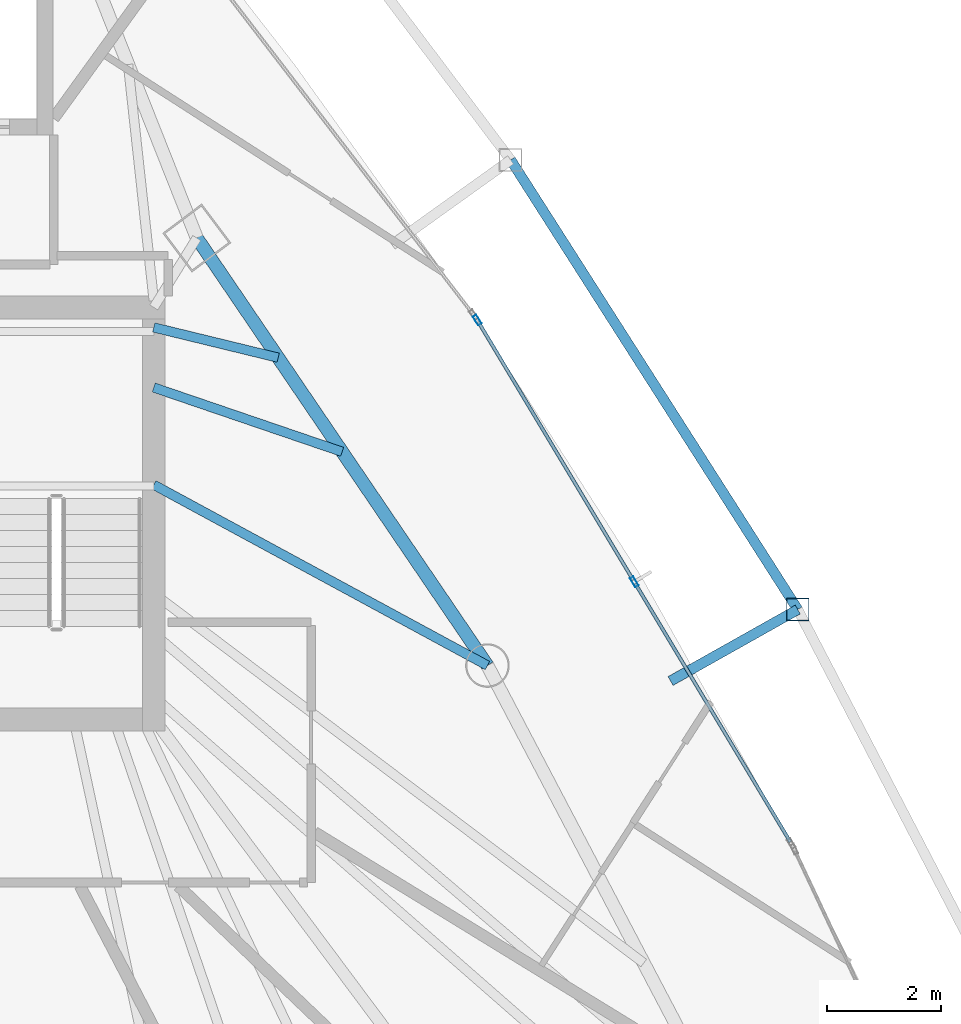
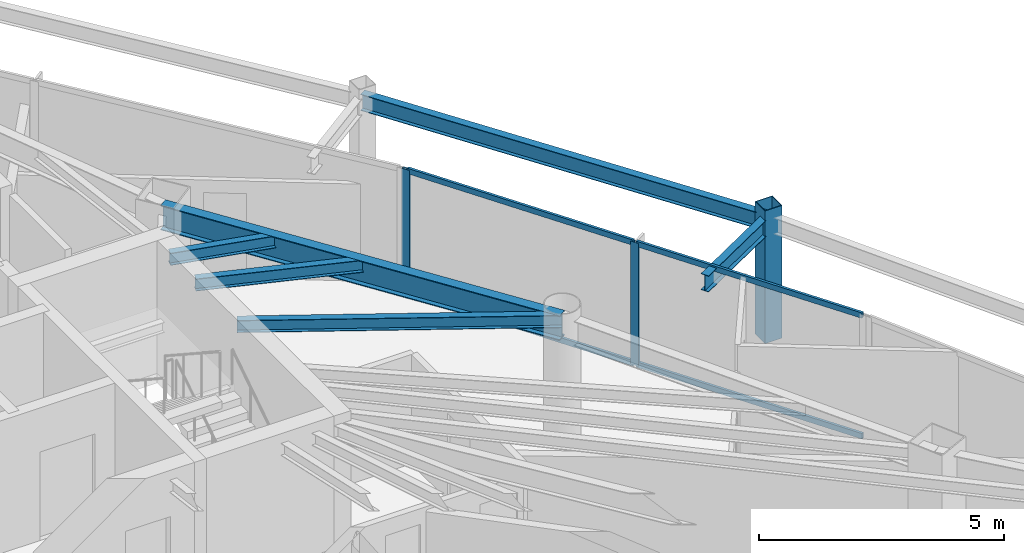
# One storey, part 18 of 29: 7 members, 6 beams, 1 element without a shape of its own.
"""IFC4 building model written with IfcOpenShell, lengths in metres."""

import ifcopenshell
import ifcopenshell.guid

model = None  # the IFC model being written
_history = None  # IfcOwnerHistory: only IFC2X3 demands one
_inside = {}  # id of a spatial element -> (the spatial element, [elements in it])
_under = {}  # id of a project, library or spatial element -> (it, [spatial elements below it])
_declared = {}  # id of a project -> (the project, [libraries it declares])
_typed = {}  # id of a type object -> (the type object, [elements of that type])
_made_of = {}  # id of a material, layer set ... -> (it, [elements and type objects made of it])


def new_model(schema):
    """Start an empty IFC model of exactly this schema.

    Asked for "IFC4X3", IfcOpenShell would pick the latest addendum, in which some entities
    have other attributes; the version numbers below select the first issue.
    IFC2X3 requires an IfcOwnerHistory on every rooted entity: one is made here for all.
    """
    global model, _history
    if schema == "IFC4X3":
        model = ifcopenshell.file(schema_version=(4, 3, 0, 0))
    else:
        model = ifcopenshell.file(schema=schema)
    _inside.clear()
    _under.clear()
    _declared.clear()
    _typed.clear()
    _made_of.clear()
    _history = None
    if model.schema == "IFC2X3":
        org = make("IfcOrganization", Name="unknown")
        user = make(
            "IfcPersonAndOrganization",
            ThePerson=make("IfcPerson", FamilyName="unknown"),
            TheOrganization=org,
        )
        app = make(
            "IfcApplication",
            ApplicationDeveloper=org,
            Version="unknown",
            ApplicationFullName="unknown",
            ApplicationIdentifier="unknown",
        )
        _history = make(
            "IfcOwnerHistory",
            OwningUser=user,
            OwningApplication=app,
            ChangeAction="ADDED",
            CreationDate=0,
        )
    return model


def make(cls, **values):
    """One entity of the class cls with the attributes given. An attribute that is None is left unset."""
    return model.create_entity(
        cls, **{name: value for name, value in values.items() if value is not None}
    )


def rooted(cls, **values):
    """An entity with a GlobalId (a new one), such as an element, a storey or a relation."""
    return make(cls, GlobalId=ifcopenshell.guid.new(), OwnerHistory=_history, **values)


def si_unit(unit_type, name, prefix=None):
    """IfcSIUnit, for example si_unit("LENGTHUNIT", "METRE", prefix="MILLI")."""
    return make("IfcSIUnit", UnitType=unit_type, Prefix=prefix, Name=name)


def assignment(units):
    """IfcUnitAssignment: the units of a project."""
    return None if units is None else make("IfcUnitAssignment", Units=units)


def point(xyz):
    """IfcCartesianPoint."""
    return None if xyz is None else make("IfcCartesianPoint", Coordinates=xyz)


def direction(xyz):
    """IfcDirection."""
    return None if xyz is None else make("IfcDirection", DirectionRatios=xyz)


def frame(location, z_axis=None, x_axis=None):
    """IfcAxis2Placement3D, a coordinate frame: its origin and axes. An axis left out is left unset."""
    return make(
        "IfcAxis2Placement3D",
        Location=point(location),
        Axis=direction(z_axis),
        RefDirection=direction(x_axis),
    )


def frame_2d(location, x_axis=None):
    """IfcAxis2Placement2D, a coordinate frame in the plane: its origin and x axis."""
    return make(
        "IfcAxis2Placement2D", Location=point(location), RefDirection=direction(x_axis)
    )


def origin():
    """The frame at (0, 0, 0) with its axes left unset."""
    return frame((0.0, 0.0, 0.0))


def origin_2d():
    """The frame at (0, 0) in the plane with its x axis left unset."""
    return frame_2d((0.0, 0.0))


def place(relative_to, where):
    """IfcLocalPlacement: puts the frame where relative to a parent placement (None: the world)."""
    return make(
        "IfcLocalPlacement", PlacementRelTo=relative_to, RelativePlacement=where
    )


def context(
    kind, dimensions, precision=None, world=None, true_north=None, identifier=None
):
    """IfcGeometricRepresentationContext, for example the 3D "Model" context."""
    return make(
        "IfcGeometricRepresentationContext",
        ContextIdentifier=identifier,
        ContextType=kind,
        CoordinateSpaceDimension=dimensions,
        Precision=precision,
        WorldCoordinateSystem=world,
        TrueNorth=true_north,
    )


def subcontext(parent, identifier, kind, view, scale=None):
    """IfcGeometricRepresentationSubContext, for example "Body" below "Model"."""
    return make(
        "IfcGeometricRepresentationSubContext",
        ContextIdentifier=identifier,
        ContextType=kind,
        ParentContext=parent,
        TargetScale=scale,
        TargetView=view,
    )


def project(units=None, contexts=None):
    """IfcProject with its units and contexts."""
    return rooted(
        "IfcProject",
        Name="project",
        RepresentationContexts=contexts,
        UnitsInContext=assignment(units),
    )


def spatial(cls, under=None, at=None, **own):
    """A site, building, storey or space (cls), placed at a placement, below another one or the project."""
    s = rooted(cls, ObjectPlacement=at, **own)
    if under is not None:
        _under.setdefault(under.id(), (under, []))[1].append(s)
    return s


def profile(cls, at=None, kind="AREA", **sizes):
    """A parametric profile (cls). Its sizes go by their IFC names, for example OverallWidth=200.0."""
    return make(cls, ProfileType=kind, Position=at, **sizes)


def hollow_rectangle(**sizes):
    """IfcRectangleHollowProfileDef."""
    return profile("IfcRectangleHollowProfileDef", **sizes)


def i_section(**sizes):
    """IfcIShapeProfileDef."""
    return profile("IfcIShapeProfileDef", **sizes)


def extrude(swept, where, along, depth):
    """IfcExtrudedAreaSolid: the profile swept, set in the frame where, extruded along a direction by depth."""
    return make(
        "IfcExtrudedAreaSolid",
        SweptArea=swept,
        Position=where,
        ExtrudedDirection=direction(along),
        Depth=depth,
    )


def shape(context_of_items, identifier, shape_type, items):
    """IfcShapeRepresentation: the items that make up one representation, for example the "Body"."""
    return make(
        "IfcShapeRepresentation",
        ContextOfItems=context_of_items,
        RepresentationIdentifier=identifier,
        RepresentationType=shape_type,
        Items=items,
    )


def material(Name=None, Category=None):
    """IfcMaterial."""
    return make("IfcMaterial", Name=Name, Category=Category)


def layer(
    of_material, thickness, ventilated=None, Name=None, Category=None, Priority=None
):
    """IfcMaterialLayer: one layer of a wall or slab, of a material (None: an air gap)."""
    return make(
        "IfcMaterialLayer",
        Material=of_material,
        LayerThickness=thickness,
        IsVentilated=ventilated,
        Name=Name,
        Category=Category,
        Priority=Priority,
    )


def layer_set(layers, Name=None):
    """IfcMaterialLayerSet."""
    return make("IfcMaterialLayerSet", MaterialLayers=layers, LayerSetName=Name)


def material_profile(
    of_material, cross_section, Name=None, Category=None, Priority=None
):
    """IfcMaterialProfile: a cross section and its material."""
    return make(
        "IfcMaterialProfile",
        Name=Name,
        Material=of_material,
        Profile=cross_section,
        Priority=Priority,
        Category=Category,
    )


def profile_set(profiles, Name=None, composite=None):
    """IfcMaterialProfileSet."""
    return make(
        "IfcMaterialProfileSet",
        Name=Name,
        MaterialProfiles=profiles,
        CompositeProfile=composite,
    )


def made_of(thing, what):
    """Note that an element or type object is made of a material, layer set ...; save() writes the relation."""
    if what is not None:
        _made_of.setdefault(what.id(), (what, []))[1].append(thing)
    return thing


def type_object(cls, material=None, **own):
    """A type object (cls), such as IfcWallType, which elements share."""
    return made_of(rooted(cls, **own), material)


def element(
    cls,
    number,
    at=None,
    inside=None,
    cuts=None,
    type_object=None,
    material=None,
    context=None,
    identifier="Body",
    shape_type=None,
    held_by="IfcProductDefinitionShape",
    body=None,
    shapes=None,
    **own,
):
    """One element of the class cls, such as IfcWall. Its Tag is "e" and its number.

    at: its placement. inside: the storey or other place that contains it. cuts: it is an
    opening in that element (IfcRelVoidsElement). A single representation is given by context,
    identifier, shape_type and body (its items); several are given by shapes. held_by: the class
    of the entity that holds the representations. save() writes the other relations.
    """
    e = rooted(cls, Tag="e%d" % number, ObjectPlacement=at, **own)
    if body is not None:
        shapes = [shape(context, identifier, shape_type, body)]
    if shapes is not None:
        e.Representation = make(held_by, Representations=shapes)
    if inside is not None:
        _inside.setdefault(inside.id(), (inside, []))[1].append(e)
    if cuts is not None:
        rooted(
            "IfcRelVoidsElement", RelatingBuildingElement=cuts, RelatedOpeningElement=e
        )
    if type_object is not None:
        _typed.setdefault(type_object.id(), (type_object, []))[1].append(e)
    return made_of(e, material)


def aggregate(whole, parts):
    """IfcRelAggregates: a whole, such as a stair, and the parts it consists of."""
    return rooted("IfcRelAggregates", RelatingObject=whole, RelatedObjects=parts)


def save(model, path):
    """Write the relations noted so far, then the file.

    IfcRelAggregates (storeys below a building ...), IfcRelContainedInSpatialStructure (elements
    in a storey), IfcRelDefinesByType, IfcRelAssociatesMaterial and IfcRelDeclares: one each for
    every whole, place, type object, material and project.
    """
    for whole, parts in _under.values():
        aggregate(whole, parts)
    for where, things in _inside.values():
        rooted(
            "IfcRelContainedInSpatialStructure",
            RelatedElements=things,
            RelatingStructure=where,
        )
    for kind, things in _typed.values():
        rooted("IfcRelDefinesByType", RelatedObjects=things, RelatingType=kind)
    for what, things in _made_of.values():
        rooted("IfcRelAssociatesMaterial", RelatedObjects=things, RelatingMaterial=what)
    for by, libraries in _declared.values():
        rooted("IfcRelDeclares", RelatingContext=by, RelatedDefinitions=libraries)
    model.write(path)


model = new_model("IFC4")

# Units and contexts
model_context = context("Model", 3, precision=1e-05, world=origin(), true_north=direction((0.0, 1.0)))
body_context = subcontext(model_context, "Body", "Model", "MODEL_VIEW")
ifc_project = project(units=[si_unit("LENGTHUNIT", "METRE"), si_unit("AREAUNIT", "SQUARE_METRE"), si_unit("VOLUMEUNIT", "CUBIC_METRE"), si_unit("PLANEANGLEUNIT", "RADIAN"), si_unit("MASSUNIT", "GRAM", prefix="KILO")], contexts=[model_context])

# Site, building, storey
site_placement = place(None, origin())
site = spatial("IfcSite", under=ifc_project, at=site_placement, CompositionType="ELEMENT")
building_placement = place(site_placement, origin())
building = spatial("IfcBuilding", under=site, at=building_placement, Name="Orvanel Arch Residences", CompositionType="ELEMENT")
storey_placement = place(building_placement, frame((0.0, 0.0, 170.449951171875)))
storey = spatial("IfcBuildingStorey", under=building, at=storey_placement, Name="L48", CompositionType="ELEMENT", Elevation=170.449951171875)

# Beams
ifc_material_1 = material(Name="Structural steel AS/NZS 3679.1 Grade 300 (300 MPa)", Category="steel")
ifc_material_profile_1 = material_profile(ifc_material_1, i_section(OverallWidth=0.1650390625, OverallDepth=0.303955078125, WebThickness=0.006103515625, FlangeThickness=0.01025390625, at=origin_2d()), Name="310UB40.4")
ifc_profile_set_1 = profile_set([ifc_material_profile_1], Name="Structural steel AS/NZS 3679.1 Grade 300 (300 MPa)")
beam_type_1 = type_object("IfcBeamType", Name="BJ-310UB", PredefinedType="JOIST", material=ifc_profile_set_1)
beam_1_placement = place(storey_placement, frame((39.60009765625, 30.800048828125, 2.907958984375), z_axis=(0.87925534649, -0.476350748576, 0.0), x_axis=(0.476350748576, 0.87925534649, 0.0)))
element("IfcBeam", 1, at=beam_1_placement, inside=storey, type_object=beam_type_1, Name="L48 NE Wing Floor Joist", PredefinedType="JOIST", context=body_context, shape_type="SweptSolid", body=[
    extrude(i_section(OverallWidth=0.1650390625, OverallDepth=0.303955078125, WebThickness=0.006103515625, FlangeThickness=0.01025390625, at=origin_2d()), origin(), (0.0, 0.0, 1.0), 6.631591796875),
])
beam_2_placement = place(storey_placement, frame((39.60009765625, 32.5, 2.907958984375), z_axis=(0.9464126781, -0.322959815969, 0.0), x_axis=(0.322959815969, 0.9464126781, 0.0)))
element("IfcBeam", 2, at=beam_2_placement, inside=storey, type_object=beam_type_1, Name="L48 ENE Wing Floor Joist", PredefinedType="JOIST", context=body_context, shape_type="SweptSolid", body=[
    extrude(i_section(OverallWidth=0.1650390625, OverallDepth=0.303955078125, WebThickness=0.006103515625, FlangeThickness=0.01025390625, at=origin_2d()), origin(), (0.0, 0.0, 1.0), 3.477294921875),
])
beam_3_placement = place(storey_placement, frame((39.60009765625, 33.550048828125, 2.907958984375), z_axis=(0.971638471014, -0.236471312521, 0.0), x_axis=(0.236471312521, 0.971638471014, 0.0)))
element("IfcBeam", 3, at=beam_3_placement, inside=storey, type_object=beam_type_1, Name="L48 JADD4 Wing Floor Joist", PredefinedType="JOIST", context=body_context, shape_type="SweptSolid", body=[
    extrude(i_section(OverallWidth=0.1650390625, OverallDepth=0.303955078125, WebThickness=0.006103515625, FlangeThickness=0.01025390625, at=origin_2d()), origin(), (0.0, 0.0, 1.0), 2.2373046875),
])

# Curtain wall, members
ifc_material_2 = material(Name="Bronze-anodised aluminium AA6063-T6", Category="aluminium")
ifc_layer = layer(ifc_material_2, 0.179931640625)
ifc_layer_set = layer_set([ifc_layer], Name="Bronze-anodised aluminium AA6063-T6")
curtain_wall_type = type_object("IfcCurtainWallType", Name="CW3-MID-SYS", PredefinedType="NOTDEFINED", material=ifc_layer_set)
curtain_wall_placement = place(storey_placement, origin())
curtain_wall = element("IfcCurtainWall", 4, at=curtain_wall_placement, inside=storey, type_object=curtain_wall_type, Name="L48 CW3-MID-SYS Unitised Curtain Wall", PredefinedType="NOTDEFINED")
ifc_material_profile_2 = material_profile(ifc_material_2, hollow_rectangle(XDim=0.070068359375, YDim=0.179931640625, WallThickness=0.00439453125, at=origin_2d()), Name="ALU180x70x4.5")
ifc_profile_set_2 = profile_set([ifc_material_profile_2], Name="Bronze-anodised aluminium AA6063-T6")
member_type_1 = type_object("IfcMemberType", Name="MUL-180x70", PredefinedType="MULLION", material=ifc_profile_set_2)
member_1_placement = place(storey_placement, frame((47.9970703125, 29.10400390625, 0.0), z_axis=(0.0, 0.0, 1.0), x_axis=(-0.857542204558, -0.514413615102, 0.0)))
member_1 = element("IfcMember", 5, at=member_1_placement, type_object=member_type_1, Name="CW-S3 mullion 2", PredefinedType="MULLION", context=body_context, shape_type="SweptSolid", body=[
    extrude(hollow_rectangle(XDim=0.070068359375, YDim=0.179931640625, WallThickness=0.00439453125, at=origin_2d()), origin(), (0.0, 0.0, 1.0), 3.06005859375),
])
member_2_placement = place(storey_placement, frame((45.251953125, 33.679931640625, 0.0), z_axis=(0.0, 0.0, 1.0), x_axis=(-0.857542204558, -0.514413615102, 0.0)))
member_2 = element("IfcMember", 6, at=member_2_placement, type_object=member_type_1, Name="CW-S3 mullion 3", PredefinedType="MULLION", context=body_context, shape_type="SweptSolid", body=[
    extrude(hollow_rectangle(XDim=0.070068359375, YDim=0.179931640625, WallThickness=0.00439453125, at=origin_2d()), origin(), (0.0, 0.0, 1.0), 3.06005859375),
])

# Beams
ifc_material_profile_3 = material_profile(ifc_material_1, i_section(OverallWidth=0.177978515625, OverallDepth=0.406005859375, WebThickness=0.0078125, FlangeThickness=0.0126953125, at=origin_2d()), Name="410UB59.7")
ifc_profile_set_3 = profile_set([ifc_material_profile_3], Name="Structural steel AS/NZS 3679.1 Grade 300 (300 MPa)")
beam_type_2 = type_object("IfcBeamType", Name="OB-410UB-EXT", PredefinedType="SPANDREL", material=ifc_profile_set_3)
beam_4_placement = place(storey_placement, frame((48.631103515625, 27.37109375, 2.85693359375), z_axis=(0.871803026856, 0.489856593673, 0.0), x_axis=(-0.489856593673, 0.871803026856, 0.0)))
element("IfcBeam", 7, at=beam_4_placement, inside=storey, type_object=beam_type_2, Name="L48 Outer Frame Radial Tie Beam 10", PredefinedType="SPANDREL", context=body_context, shape_type="SweptSolid", body=[
    extrude(i_section(OverallWidth=0.177978515625, OverallDepth=0.406005859375, WebThickness=0.0078125, FlangeThickness=0.0126953125, at=origin_2d()), origin(), (0.0, 0.0, 1.0), 2.5498046875),
])
beam_5_placement = place(storey_placement, frame((50.85400390625, 28.6201171875, 2.85693359375), z_axis=(-0.538142335927, 0.842853976845, 0.0), x_axis=(-0.842853976845, -0.538142335927, 0.0)))
element("IfcBeam", 8, at=beam_5_placement, inside=storey, type_object=beam_type_2, Name="L48 Outer Perimeter Floor Ring Beam 10", PredefinedType="SPANDREL", context=body_context, shape_type="SweptSolid", body=[
    extrude(i_section(OverallWidth=0.177978515625, OverallDepth=0.406005859375, WebThickness=0.0078125, FlangeThickness=0.0126953125, at=origin_2d()), origin(), (0.0, 0.0, 1.0), 9.322998046875),
])
ifc_material_profile_4 = material_profile(ifc_material_1, i_section(OverallWidth=0.22900390625, OverallDepth=0.612060546875, WebThickness=0.011962890625, FlangeThickness=0.01953125, at=origin_2d()), Name="610UB125")
ifc_profile_set_4 = profile_set([ifc_material_profile_4], Name="Structural steel AS/NZS 3679.1 Grade 300 (300 MPa)")
beam_type_3 = type_object("IfcBeamType", Name="SP-610UB", PredefinedType="SPANDREL", material=ifc_profile_set_4)
beam_6_placement = place(storey_placement, frame((45.430908203125, 27.64111328125, 2.754150390625), z_axis=(-0.562154793153, 0.827032035978, 0.0), x_axis=(-0.827032035978, -0.562154793153, 0.0)))
element("IfcBeam", 9, at=beam_6_placement, inside=storey, type_object=beam_type_3, Name="L48 Perimeter Spandrel Beam 12", PredefinedType="SPANDREL", context=body_context, shape_type="SweptSolid", body=[
    extrude(i_section(OverallWidth=0.22900390625, OverallDepth=0.612060546875, WebThickness=0.011962890625, FlangeThickness=0.01953125, at=origin_2d()), origin(), (0.0, 0.0, 1.0), 9.03466796875),
])

# Member
ifc_material_3 = material(Name="Structural steel AS/NZS 1163 C450L0 (Grade 450)", Category="steel")
ifc_material_profile_5 = material_profile(ifc_material_3, hollow_rectangle(XDim=0.39990234375, YDim=0.39990234375, WallThickness=0.01611328125, at=origin_2d()), Name="SHS400x400x16")
ifc_profile_set_5 = profile_set([ifc_material_profile_5], Name="Structural steel AS/NZS 1163 C450L0 (Grade 450)")
member_type_2 = type_object("IfcMemberType", Name="ST-400SHS-EXT", PredefinedType="STRUT", material=ifc_profile_set_5)
member_3_placement = place(storey_placement, frame((50.85400390625, 28.6201171875, 0.0), z_axis=(0.0, 0.0, 1.0), x_axis=(1.0, 0.0, 0.0)))
element("IfcMember", 10, at=member_3_placement, inside=storey, type_object=member_type_2, Name="L48 Outer Perimeter Frame Post 10", PredefinedType="STRUT", context=body_context, shape_type="SweptSolid", body=[
    extrude(hollow_rectangle(XDim=0.39990234375, YDim=0.39990234375, WallThickness=0.01611328125, at=origin_2d()), origin(), (0.0, 0.0, 1.0), 3.300048828125),
])

ifc_material_profile_6 = material_profile(ifc_material_2, hollow_rectangle(XDim=0.06005859375, YDim=0.135009765625, WallThickness=0.00390625, at=origin_2d()), Name="ALU135x60x4")
ifc_profile_set_6 = profile_set([ifc_material_profile_6], Name="Bronze-anodised aluminium AA6063-T6")
member_type_3 = type_object("IfcMemberType", Name="TRN-135x60", PredefinedType="USERDEFINED", material=ifc_profile_set_6)
member_4_placement = place(storey_placement, frame((50.723876953125, 24.55810546875, 0.030029296875), z_axis=(-0.514420757855, 0.857537919796, 0.0), x_axis=(-0.857537919796, -0.514420757855, 0.0)))
member_4 = element("IfcMember", 11, at=member_4_placement, type_object=member_type_3, Name="CW-S3 transom 1.1", ObjectType="TRANSOM", PredefinedType="USERDEFINED", context=body_context, shape_type="SweptSolid", body=[
    extrude(hollow_rectangle(XDim=0.06005859375, YDim=0.135009765625, WallThickness=0.00390625, at=origin_2d()), origin(), (0.0, 0.0, 1.0), 5.26611328125),
])

member_5_placement = place(storey_placement, frame((50.723876953125, 24.55810546875, 3.030029296875), z_axis=(-0.514420757855, 0.857537919796, 0.0), x_axis=(-0.857537919796, -0.514420757855, 0.0)))
member_5 = element("IfcMember", 12, at=member_5_placement, type_object=member_type_3, Name="CW-S3 transom 1.2", ObjectType="TRANSOM", PredefinedType="USERDEFINED", context=body_context, shape_type="SweptSolid", body=[
    extrude(hollow_rectangle(XDim=0.06005859375, YDim=0.135009765625, WallThickness=0.00390625, at=origin_2d()), origin(), (0.0, 0.0, 1.0), 5.26611328125),
])

member_6_placement = place(storey_placement, frame((47.97900390625, 29.134033203125, 0.030029296875), z_axis=(-0.514420757855, 0.857537919796, 0.0), x_axis=(-0.857537919796, -0.514420757855, 0.0)))
member_6 = element("IfcMember", 13, at=member_6_placement, type_object=member_type_3, Name="CW-S3 transom 2.1", ObjectType="TRANSOM", PredefinedType="USERDEFINED", context=body_context, shape_type="SweptSolid", body=[
    extrude(hollow_rectangle(XDim=0.06005859375, YDim=0.135009765625, WallThickness=0.00390625, at=origin_2d()), origin(), (0.0, 0.0, 1.0), 5.26611328125),
])

member_7_placement = place(storey_placement, frame((47.97900390625, 29.134033203125, 3.030029296875), z_axis=(-0.514420757855, 0.857537919796, 0.0), x_axis=(-0.857537919796, -0.514420757855, 0.0)))
member_7 = element("IfcMember", 14, at=member_7_placement, type_object=member_type_3, Name="CW-S3 transom 2.2", ObjectType="TRANSOM", PredefinedType="USERDEFINED", context=body_context, shape_type="SweptSolid", body=[
    extrude(hollow_rectangle(XDim=0.06005859375, YDim=0.135009765625, WallThickness=0.00390625, at=origin_2d()), origin(), (0.0, 0.0, 1.0), 5.26611328125),
])

aggregate(curtain_wall, [member_1, member_2, member_4, member_5, member_6, member_7])

save(model, "model.ifc")
